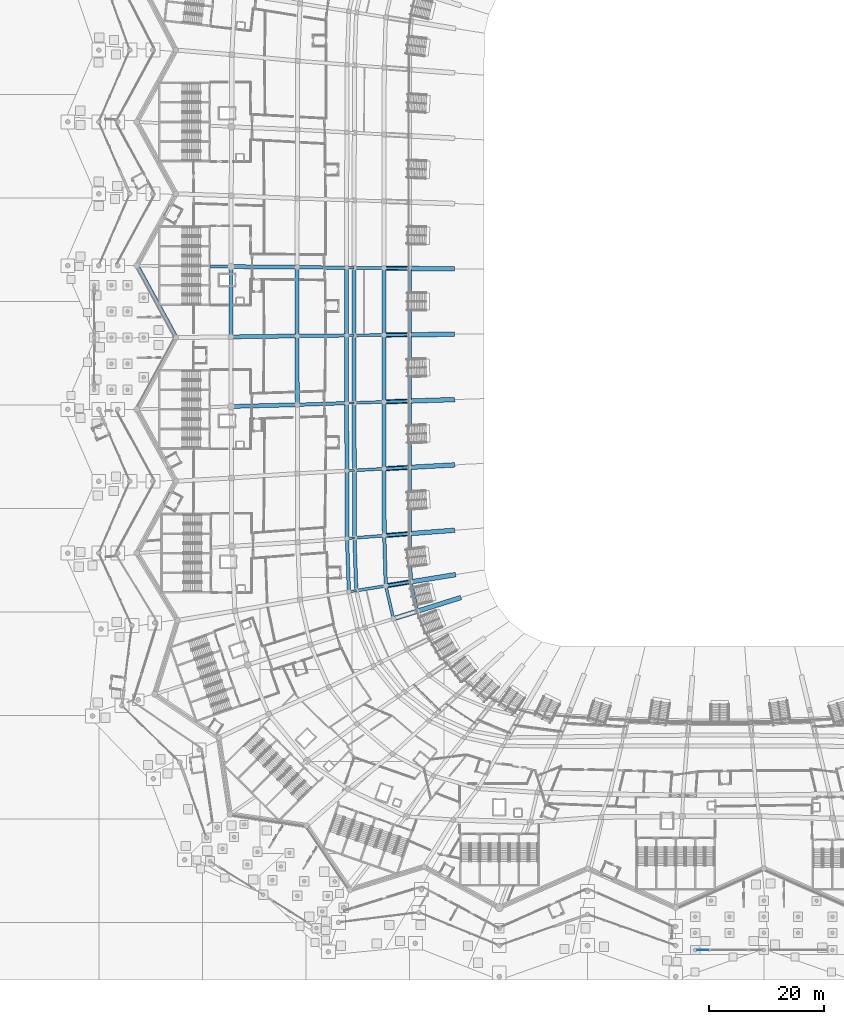
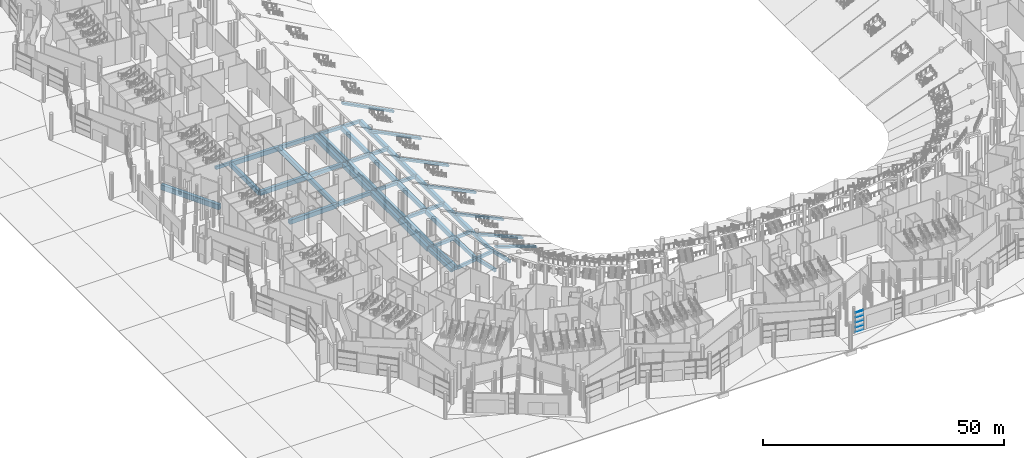
# One storey, part 27 of 255: 58 beams, 5 members, 1 element without a shape of its own.
"""IFC4 building model written with IfcOpenShell, lengths in metres."""

from ifc_helpers import new_model, si_unit, direction, frame, origin, origin_2d, place, context, subcontext, project, spatial, rectangle, extrude, material, layer, layer_set, material_profile, profile_set, type_object, element, aggregate, save


model = new_model("IFC4")

# Units and contexts
model_context = context("Model", 3, precision=1e-05, world=origin(), true_north=direction((0.0, 1.0)))
body_context = subcontext(model_context, "Body", "Model", "MODEL_VIEW")
ifc_project = project(units=[si_unit("LENGTHUNIT", "METRE"), si_unit("AREAUNIT", "SQUARE_METRE"), si_unit("VOLUMEUNIT", "CUBIC_METRE"), si_unit("PLANEANGLEUNIT", "RADIAN"), si_unit("MASSUNIT", "GRAM", prefix="KILO")], contexts=[model_context])

# Site, building, storey
site_placement = place(None, origin())
site = spatial("IfcSite", under=ifc_project, at=site_placement, CompositionType="ELEMENT")
building_placement = place(site_placement, origin())
building = spatial("IfcBuilding", under=site, at=building_placement, Name="Meseta Stadium", CompositionType="ELEMENT")
storey_placement = place(building_placement, origin())
storey = spatial("IfcBuildingStorey", under=building, at=storey_placement, Name="L00", CompositionType="ELEMENT", Elevation=0.0)

# Beams
ifc_material_1 = material(Name="Concrete C40/50", Category="concrete")
ifc_material_profile_1 = material_profile(ifc_material_1, rectangle(XDim=0.39990234375, YDim=0.60009765625, at=origin_2d()), Name="RC 400x600")
ifc_profile_set_1 = profile_set([ifc_material_profile_1], Name="Concrete C40/50")
beam_type_1 = type_object("IfcBeamType", Name="RC beam 400x600", PredefinedType="BEAM", material=ifc_profile_set_1)
for number, where, z_axis, x_axis, name in (
    (1, (-63.5986328125, 5.872802734375, -0.699951171875), (-0.999940687241, 0.010891372744, 0.0), (-0.010891372744, -0.999940687241, 0.0), "L00 radial beam frame 32 line C to D"),
    (2, (-63.5986328125, -5.872802734375, -0.699951171875), (-0.999940687241, -0.010891372744, 0.0), (0.010891372744, -0.999940687241, 0.0), "L00 radial beam frame 33 line C to D"),
    (3, (-63.587890625, -17.617919921875, -0.699951171875), (-0.99945362659, -0.033052205614, 0.0), (0.033052205614, -0.99945362659, 0.0), "L00 radial beam frame 34 line C to D"),
    (4, (-63.566162109375, -29.3623046875, -0.699951171875), (-0.998505663725, -0.054648325775, 0.0), (0.054648325775, -0.998505663725, 0.0), "L00 radial beam frame 35 line C to D"),
    (5, (-63.53369140625, -41.1044921875, -0.699951171875), (-0.99706000661, -0.076624690657, 0.0), (0.076624690657, -0.99706000661, 0.0), "L00 radial beam frame 36 line C to D"),
    (6, (-63.21826171875, -50.27294921875, -0.699951171875), (-0.98726777227, -0.159067111111, 0.0), (0.159067111111, -0.98726777227, 0.0), "L00 radial beam frame 37 line C to D"),
):
    element("IfcBeam", number, at=place(storey_placement, frame(where, z_axis=z_axis, x_axis=x_axis)), inside=storey, type_object=beam_type_1, Name=name, PredefinedType="BEAM", context=body_context, shape_type="SweptSolid", body=[
        extrude(rectangle(XDim=0.39990234375, YDim=0.60009765625, at=origin_2d()), origin(), (0.0, 0.0, 1.0), 1.300048828125),
    ])
ifc_material_2 = material(Name="Concrete C40/50", Category="concrete")
ifc_material_profile_2 = material_profile(ifc_material_2, rectangle(XDim=0.5, YDim=0.75, at=origin_2d()), Name="RC 500x750")
ifc_profile_set_2 = profile_set([ifc_material_profile_2], Name="Concrete C40/50")
beam_type_2 = type_object("IfcBeamType", Name="RC beam 500x750", PredefinedType="BEAM", material=ifc_profile_set_2)
beam_1_placement = place(storey_placement, frame((-53.740234375, -48.74658203125, -0.77490234375), z_axis=(0.225091279116, -0.974337680718, 0.0), x_axis=(0.974337680718, 0.225091279116, 0.0)))
element("IfcBeam", 7, at=beam_1_placement, inside=storey, type_object=beam_type_2, Name="L00 ring beam frame 37 line B", PredefinedType="BEAM", context=body_context, shape_type="SweptSolid", body=[
    extrude(rectangle(XDim=0.5, YDim=0.75, at=origin_2d()), origin(), (0.0, 0.0, 1.0), 5.231201171875),
])
beam_2_placement = place(storey_placement, frame((-58.084228515625, -49.4462890625, -0.77490234375), z_axis=(0.225583026399, -0.974223946637, 0.0), x_axis=(0.974223946637, 0.225583026399, 0.0)))
element("IfcBeam", 8, at=beam_2_placement, inside=storey, type_object=beam_type_2, Name="L00 ring beam frame 37 line U", PredefinedType="BEAM", context=body_context, shape_type="SweptSolid", body=[
    extrude(rectangle(XDim=0.5, YDim=0.75, at=origin_2d()), origin(), (0.0, 0.0, 1.0), 5.86474609375),
])
beam_3_placement = place(storey_placement, frame((-53.999267578125, 5.767578125, -0.77490234375), z_axis=(-0.999939646384, 0.010986518505, 0.0), x_axis=(-0.010986518505, -0.999939646384, 0.0)))
element("IfcBeam", 9, at=beam_3_placement, inside=storey, type_object=beam_type_2, Name="L00 radial beam frame 32 line B to U", PredefinedType="BEAM", context=body_context, shape_type="SweptSolid", body=[
    extrude(rectangle(XDim=0.5, YDim=0.75, at=origin_2d()), origin(), (0.0, 0.0, 1.0), 4.39990234375),
])
beam_4_placement = place(storey_placement, frame((-58.39892578125, 5.81591796875, -0.77490234375), z_axis=(-0.999940163633, 0.010939339756, 0.0), x_axis=(-0.010939339756, -0.999940163633, 0.0)))
element("IfcBeam", 10, at=beam_4_placement, inside=storey, type_object=beam_type_2, Name="L00 radial beam frame 32 line U to C", PredefinedType="BEAM", context=body_context, shape_type="SweptSolid", body=[
    extrude(rectangle(XDim=0.5, YDim=0.75, at=origin_2d()), origin(), (0.0, 0.0, 1.0), 5.199951171875),
])
beam_5_placement = place(storey_placement, frame((-84.99755859375, 6.081298828125, -0.77490234375), z_axis=(-0.999946950007, 0.010300348089, 0.0), x_axis=(-0.010300348089, -0.999946950007, 0.0)))
element("IfcBeam", 11, at=beam_5_placement, inside=storey, type_object=beam_type_2, Name="L00 radial beam frame 32 line P to R", PredefinedType="BEAM", context=body_context, shape_type="SweptSolid", body=[
    extrude(rectangle(XDim=0.5, YDim=0.75, at=origin_2d()), origin(), (0.0, 0.0, 1.0), 3.602783203125),
])
beam_6_placement = place(storey_placement, frame((-53.999267578125, -5.767578125, -0.77490234375), z_axis=(-0.999939646384, -0.010986518505, 0.0), x_axis=(0.010986518505, -0.999939646384, 0.0)))
element("IfcBeam", 12, at=beam_6_placement, inside=storey, type_object=beam_type_2, Name="L00 radial beam frame 33 line B to U", PredefinedType="BEAM", context=body_context, shape_type="SweptSolid", body=[
    extrude(rectangle(XDim=0.5, YDim=0.75, at=origin_2d()), origin(), (0.0, 0.0, 1.0), 4.39990234375),
])
beam_7_placement = place(storey_placement, frame((-58.39892578125, -5.81591796875, -0.77490234375), z_axis=(-0.999940163633, -0.010939339756, 0.0), x_axis=(0.010939339756, -0.999940163633, 0.0)))
element("IfcBeam", 13, at=beam_7_placement, inside=storey, type_object=beam_type_2, Name="L00 radial beam frame 33 line U to C", PredefinedType="BEAM", context=body_context, shape_type="SweptSolid", body=[
    extrude(rectangle(XDim=0.5, YDim=0.75, at=origin_2d()), origin(), (0.0, 0.0, 1.0), 5.199951171875),
])
beam_8_placement = place(storey_placement, frame((-53.992919921875, -17.302490234375, -0.77490234375), z_axis=(-0.999460377963, -0.032847418184, 0.0), x_axis=(0.032847418184, -0.999460377963, 0.0)))
element("IfcBeam", 14, at=beam_8_placement, inside=storey, type_object=beam_type_2, Name="L00 radial beam frame 34 line B to U", PredefinedType="BEAM", context=body_context, shape_type="SweptSolid", body=[
    extrude(rectangle(XDim=0.5, YDim=0.75, at=origin_2d()), origin(), (0.0, 0.0, 1.0), 4.400146484375),
])
beam_9_placement = place(storey_placement, frame((-58.390625, -17.447021484375, -0.77490234375), z_axis=(-0.999459812725, -0.032864612406, 0.0), x_axis=(0.032864612406, -0.999459812725, 0.0)))
element("IfcBeam", 15, at=beam_9_placement, inside=storey, type_object=beam_type_2, Name="L00 radial beam frame 34 line U to C", PredefinedType="BEAM", context=body_context, shape_type="SweptSolid", body=[
    extrude(rectangle(XDim=0.5, YDim=0.75, at=origin_2d()), origin(), (0.0, 0.0, 1.0), 5.2001953125),
])
beam_10_placement = place(storey_placement, frame((-53.98046875, -28.836669921875, -0.77490234375), z_axis=(-0.998502235363, -0.05471093104, 0.0), x_axis=(0.05471093104, -0.998502235363, 0.0)))
element("IfcBeam", 16, at=beam_10_placement, inside=storey, type_object=beam_type_2, Name="L00 radial beam frame 35 line B to U", PredefinedType="BEAM", context=body_context, shape_type="SweptSolid", body=[
    extrude(rectangle(XDim=0.5, YDim=0.75, at=origin_2d()), origin(), (0.0, 0.0, 1.0), 4.39990234375),
])
beam_11_placement = place(storey_placement, frame((-58.373779296875, -29.077392578125, -0.77490234375), z_axis=(-0.998497968402, -0.054788749724, 0.0), x_axis=(0.054788749724, -0.998497968402, 0.0)))
element("IfcBeam", 17, at=beam_11_placement, inside=storey, type_object=beam_type_2, Name="L00 radial beam frame 35 line U to C", PredefinedType="BEAM", context=body_context, shape_type="SweptSolid", body=[
    extrude(rectangle(XDim=0.5, YDim=0.75, at=origin_2d()), origin(), (0.0, 0.0, 1.0), 5.2001953125),
])
beam_12_placement = place(storey_placement, frame((-53.9619140625, -40.369873046875, -0.77490234375), z_axis=(-0.997068503293, -0.076514049307, 0.0), x_axis=(0.076514049307, -0.997068503293, 0.0)))
element("IfcBeam", 18, at=beam_12_placement, inside=storey, type_object=beam_type_2, Name="L00 radial beam frame 36 line B to U", PredefinedType="BEAM", context=body_context, shape_type="SweptSolid", body=[
    extrude(rectangle(XDim=0.5, YDim=0.75, at=origin_2d()), origin(), (0.0, 0.0, 1.0), 4.400146484375),
])
beam_13_placement = place(storey_placement, frame((-58.34912109375, -40.70654296875, -0.77490234375), z_axis=(-0.997067176411, -0.076531338178, 0.0), x_axis=(0.076531338178, -0.997067176411, 0.0)))
element("IfcBeam", 19, at=beam_13_placement, inside=storey, type_object=beam_type_2, Name="L00 radial beam frame 36 line U to C", PredefinedType="BEAM", context=body_context, shape_type="SweptSolid", body=[
    extrude(rectangle(XDim=0.5, YDim=0.75, at=origin_2d()), origin(), (0.0, 0.0, 1.0), 5.19970703125),
])
beam_14_placement = place(storey_placement, frame((-53.740234375, -48.74658203125, -0.77490234375), z_axis=(-0.98727458223, -0.15902483857, 0.0), x_axis=(0.15902483857, -0.98727458223, 0.0)))
element("IfcBeam", 20, at=beam_14_placement, inside=storey, type_object=beam_type_2, Name="L00 radial beam frame 37 line B to U", PredefinedType="BEAM", context=body_context, shape_type="SweptSolid", body=[
    extrude(rectangle(XDim=0.5, YDim=0.75, at=origin_2d()), origin(), (0.0, 0.0, 1.0), 4.39990234375),
])
beam_15_placement = place(storey_placement, frame((-58.084228515625, -49.4462890625, -0.77490234375), z_axis=(-0.98728370104, -0.158968215879, 0.0), x_axis=(0.158968215879, -0.98728370104, 0.0)))
element("IfcBeam", 21, at=beam_15_placement, inside=storey, type_object=beam_type_2, Name="L00 radial beam frame 37 line U to C", PredefinedType="BEAM", context=body_context, shape_type="SweptSolid", body=[
    extrude(rectangle(XDim=0.5, YDim=0.75, at=origin_2d()), origin(), (0.0, 0.0, 1.0), 5.2001953125),
])
ifc_material_3 = material(Name="Concrete C40/50", Category="concrete")
ifc_material_profile_3 = material_profile(ifc_material_3, rectangle(XDim=0.60009765625, YDim=0.89990234375, at=origin_2d()), Name="RC 600x900")
ifc_profile_set_3 = profile_set([ifc_material_profile_3], Name="Concrete C40/50")
beam_type_3 = type_object("IfcBeamType", Name="RC beam 600x900", PredefinedType="BEAM", material=ifc_profile_set_3)
beam_16_placement = place(storey_placement, frame((-53.9619140625, -40.369873046875, -0.85009765625), z_axis=(0.026454554384, -0.999650017032, 0.0), x_axis=(0.999650017032, 0.026454554384, 0.0)))
element("IfcBeam", 22, at=beam_16_placement, inside=storey, type_object=beam_type_3, Name="L00 ring beam frame 36 line B", PredefinedType="BEAM", context=body_context, shape_type="SweptSolid", body=[
    extrude(rectangle(XDim=0.60009765625, YDim=0.89990234375, at=origin_2d()), origin(), (0.0, 0.0, 1.0), 8.379638671875),
])
beam_17_placement = place(storey_placement, frame((-58.34912109375, -40.70654296875, -0.85009765625), z_axis=(0.030295043991, -0.999540999814, 0.0), x_axis=(0.999540999814, 0.030295043991, 0.0)))
element("IfcBeam", 23, at=beam_17_placement, inside=storey, type_object=beam_type_3, Name="L00 ring beam frame 36 line U", PredefinedType="BEAM", context=body_context, shape_type="SweptSolid", body=[
    extrude(rectangle(XDim=0.60009765625, YDim=0.89990234375, at=origin_2d()), origin(), (0.0, 0.0, 1.0), 8.74365234375),
])
beam_18_placement = place(storey_placement, frame((-63.53369140625, -41.1044921875, -0.85009765625), z_axis=(0.034383449406, -0.999408714394, 0.0), x_axis=(0.999408714394, 0.034383449406, 0.0)))
element("IfcBeam", 24, at=beam_18_placement, inside=storey, type_object=beam_type_3, Name="L00 ring beam frame 36 line C", PredefinedType="BEAM", context=body_context, shape_type="SweptSolid", body=[
    extrude(rectangle(XDim=0.60009765625, YDim=0.89990234375, at=origin_2d()), origin(), (0.0, 0.0, 1.0), 9.173828125),
])
beam_19_placement = place(storey_placement, frame((-64.829833984375, -41.2041015625, -0.85009765625), z_axis=(0.035352824386, -0.999374893525, 0.0), x_axis=(0.999374893525, 0.035352824386, 0.0)))
element("IfcBeam", 25, at=beam_19_placement, inside=storey, type_object=beam_type_3, Name="L00 ring beam frame 36 line D", PredefinedType="BEAM", context=body_context, shape_type="SweptSolid", body=[
    extrude(rectangle(XDim=0.60009765625, YDim=0.89990234375, at=origin_2d()), origin(), (0.0, 0.0, 1.0), 9.281494140625),
])
for number, where, z_axis, x_axis, name in (
    (26, (-64.898681640625, 5.886962890625, -0.85009765625), (-0.999939958323, 0.010958090563, 0.0), (-0.010958090563, -0.999939958323, 0.0), "L00 radial beam frame 32 line D to E"),
    (27, (-64.898681640625, -5.886962890625, -0.85009765625), (-0.999939958323, -0.010958090563, 0.0), (0.010958090563, -0.999939958323, 0.0), "L00 radial beam frame 33 line D to E"),
    (28, (-64.88720703125, -17.660888671875, -0.85009765625), (-0.999459492737, -0.032874342231, 0.0), (0.032874342231, -0.999459492737, 0.0), "L00 radial beam frame 34 line D to E"),
):
    element("IfcBeam", number, at=place(storey_placement, frame(where, z_axis=z_axis, x_axis=x_axis)), inside=storey, type_object=beam_type_3, Name=name, PredefinedType="BEAM", context=body_context, shape_type="SweptSolid", body=[
        extrude(rectangle(XDim=0.60009765625, YDim=0.89990234375, at=origin_2d()), origin(), (0.0, 0.0, 1.0), 8.599853515625),
    ])
ifc_material_4 = material(Name="Concrete C40/50", Category="concrete")
ifc_material_profile_4 = material_profile(ifc_material_4, rectangle(XDim=0.699951171875, YDim=1.10009765625, at=origin_2d()), Name="RC 700x1100")
ifc_profile_set_4 = profile_set([ifc_material_profile_4], Name="Concrete C40/50")
beam_type_4 = type_object("IfcBeamType", Name="RC beam 700x1100", PredefinedType="BEAM", material=ifc_profile_set_4)
beam_20_placement = place(storey_placement, frame((-53.999267578125, 5.767578125, -0.949951171875), z_axis=(0.0, -1.0, 0.0), x_axis=(1.0, 0.0, 0.0)))
element("IfcBeam", 29, at=beam_20_placement, inside=storey, type_object=beam_type_4, Name="L00 ring beam frame 32 line B", PredefinedType="BEAM", context=body_context, shape_type="SweptSolid", body=[
    extrude(rectangle(XDim=0.699951171875, YDim=1.10009765625, at=origin_2d()), origin(), (0.0, 0.0, 1.0), 11.53515625),
])
beam_21_placement = place(storey_placement, frame((-58.39892578125, 5.81591796875, -0.949951171875), z_axis=(0.0, -1.0, 0.0), x_axis=(1.0, 0.0, 0.0)))
element("IfcBeam", 30, at=beam_21_placement, inside=storey, type_object=beam_type_4, Name="L00 ring beam frame 32 line U", PredefinedType="BEAM", context=body_context, shape_type="SweptSolid", body=[
    extrude(rectangle(XDim=0.699951171875, YDim=1.10009765625, at=origin_2d()), origin(), (0.0, 0.0, 1.0), 11.6318359375),
])
beam_22_placement = place(storey_placement, frame((-63.5986328125, 5.872802734375, -0.949951171875), z_axis=(0.0, -1.0, 0.0), x_axis=(1.0, 0.0, 0.0)))
element("IfcBeam", 31, at=beam_22_placement, inside=storey, type_object=beam_type_4, Name="L00 ring beam frame 32 line C", PredefinedType="BEAM", context=body_context, shape_type="SweptSolid", body=[
    extrude(rectangle(XDim=0.699951171875, YDim=1.10009765625, at=origin_2d()), origin(), (0.0, 0.0, 1.0), 11.74560546875),
])
beam_23_placement = place(storey_placement, frame((-64.898681640625, 5.886962890625, -0.949951171875), z_axis=(0.0, -1.0, 0.0), x_axis=(1.0, 0.0, 0.0)))
element("IfcBeam", 32, at=beam_23_placement, inside=storey, type_object=beam_type_4, Name="L00 ring beam frame 32 line D", PredefinedType="BEAM", context=body_context, shape_type="SweptSolid", body=[
    extrude(rectangle(XDim=0.699951171875, YDim=1.10009765625, at=origin_2d()), origin(), (0.0, 0.0, 1.0), 11.77392578125),
])
beam_24_placement = place(storey_placement, frame((-73.498046875, 5.981201171875, -0.949951171875), z_axis=(0.0, -1.0, 0.0), x_axis=(1.0, 0.0, 0.0)))
element("IfcBeam", 33, at=beam_24_placement, inside=storey, type_object=beam_type_4, Name="L00 ring beam frame 32 line E", PredefinedType="BEAM", context=body_context, shape_type="SweptSolid", body=[
    extrude(rectangle(XDim=0.699951171875, YDim=1.10009765625, at=origin_2d()), origin(), (0.0, 0.0, 1.0), 11.96240234375),
])
beam_25_placement = place(storey_placement, frame((-84.99755859375, 6.081298828125, -0.949951171875), z_axis=(3.9962435e-05, -0.999999999202, 0.0), x_axis=(0.999999999202, 3.9962435e-05, 0.0)))
element("IfcBeam", 34, at=beam_25_placement, inside=storey, type_object=beam_type_4, Name="L00 ring beam frame 32 line P", PredefinedType="BEAM", context=body_context, shape_type="SweptSolid", body=[
    extrude(rectangle(XDim=0.699951171875, YDim=1.10009765625, at=origin_2d()), origin(), (0.0, 0.0, 1.0), 12.218505859375),
])
beam_26_placement = place(storey_placement, frame((-53.999267578125, -5.767578125, -0.949951171875), z_axis=(0.000550299407, -0.999999848585, 0.0), x_axis=(0.999999848585, 0.000550299407, 0.0)))
element("IfcBeam", 35, at=beam_26_placement, inside=storey, type_object=beam_type_4, Name="L00 ring beam frame 33 line B", PredefinedType="BEAM", context=body_context, shape_type="SweptSolid", body=[
    extrude(rectangle(XDim=0.699951171875, YDim=1.10009765625, at=origin_2d()), origin(), (0.0, 0.0, 1.0), 11.534912109375),
])
beam_27_placement = place(storey_placement, frame((-58.39892578125, -5.81591796875, -0.949951171875), z_axis=(0.000713670816, -0.999999745337, 0.0), x_axis=(0.999999745337, 0.000713670816, 0.0)))
element("IfcBeam", 36, at=beam_27_placement, inside=storey, type_object=beam_type_4, Name="L00 ring beam frame 33 line U", PredefinedType="BEAM", context=body_context, shape_type="SweptSolid", body=[
    extrude(rectangle(XDim=0.699951171875, YDim=1.10009765625, at=origin_2d()), origin(), (0.0, 0.0, 1.0), 11.631103515625),
])
beam_28_placement = place(storey_placement, frame((-63.5986328125, -5.872802734375, -0.949951171875), z_axis=(0.000914608414, -0.999999581746, 0.0), x_axis=(0.999999581746, 0.000914608414, 0.0)))
element("IfcBeam", 37, at=beam_28_placement, inside=storey, type_object=beam_type_4, Name="L00 ring beam frame 33 line C", PredefinedType="BEAM", context=body_context, shape_type="SweptSolid", body=[
    extrude(rectangle(XDim=0.699951171875, YDim=1.10009765625, at=origin_2d()), origin(), (0.0, 0.0, 1.0), 11.7451171875),
])
beam_29_placement = place(storey_placement, frame((-64.898681640625, -5.886962890625, -0.949951171875), z_axis=(0.000974577566, -0.999999525099, 0.0), x_axis=(0.999999525099, 0.000974577566, 0.0)))
element("IfcBeam", 38, at=beam_29_placement, inside=storey, type_object=beam_type_4, Name="L00 ring beam frame 33 line D", PredefinedType="BEAM", context=body_context, shape_type="SweptSolid", body=[
    extrude(rectangle(XDim=0.699951171875, YDim=1.10009765625, at=origin_2d()), origin(), (0.0, 0.0, 1.0), 11.77392578125),
])
beam_30_placement = place(storey_placement, frame((-73.498046875, -5.981201171875, -0.949951171875), z_axis=(0.001306174648, -0.999999146954, 0.0), x_axis=(0.999999146954, 0.001306174648, 0.0)))
element("IfcBeam", 39, at=beam_30_placement, inside=storey, type_object=beam_type_4, Name="L00 ring beam frame 33 line E", PredefinedType="BEAM", context=body_context, shape_type="SweptSolid", body=[
    extrude(rectangle(XDim=0.699951171875, YDim=1.10009765625, at=origin_2d()), origin(), (0.0, 0.0, 1.0), 11.96240234375),
])
beam_31_placement = place(storey_placement, frame((-53.992919921875, -17.302490234375, -0.949951171875), z_axis=(0.00107950153, -0.999999417338, 0.0), x_axis=(0.999999417338, 0.00107950153, 0.0)))
element("IfcBeam", 40, at=beam_31_placement, inside=storey, type_object=beam_type_4, Name="L00 ring beam frame 34 line B", PredefinedType="BEAM", context=body_context, shape_type="SweptSolid", body=[
    extrude(rectangle(XDim=0.699951171875, YDim=1.10009765625, at=origin_2d()), origin(), (0.0, 0.0, 1.0), 11.5341796875),
])
beam_32_placement = place(storey_placement, frame((-58.390625, -17.447021484375, -0.949951171875), z_axis=(0.001448422008, -0.999998951036, 0.0), x_axis=(0.999998951036, 0.001448422008, 0.0)))
element("IfcBeam", 41, at=beam_32_placement, inside=storey, type_object=beam_type_4, Name="L00 ring beam frame 34 line U", PredefinedType="BEAM", context=body_context, shape_type="SweptSolid", body=[
    extrude(rectangle(XDim=0.699951171875, YDim=1.10009765625, at=origin_2d()), origin(), (0.0, 0.0, 1.0), 11.63037109375),
])
beam_33_placement = place(storey_placement, frame((-63.587890625, -17.617919921875, -0.949951171875), z_axis=(0.001850116364, -0.999998288533, 0.0), x_axis=(0.999998288533, 0.001850116364, 0.0)))
element("IfcBeam", 42, at=beam_33_placement, inside=storey, type_object=beam_type_4, Name="L00 ring beam frame 34 line C", PredefinedType="BEAM", context=body_context, shape_type="SweptSolid", body=[
    extrude(rectangle(XDim=0.699951171875, YDim=1.10009765625, at=origin_2d()), origin(), (0.0, 0.0, 1.0), 11.744384765625),
])
beam_34_placement = place(storey_placement, frame((-64.88720703125, -17.660888671875, -0.949951171875), z_axis=(0.001949394886, -0.999998099928, 0.0), x_axis=(0.999998099928, 0.001949394886, 0.0)))
element("IfcBeam", 43, at=beam_34_placement, inside=storey, type_object=beam_type_4, Name="L00 ring beam frame 34 line D", PredefinedType="BEAM", context=body_context, shape_type="SweptSolid", body=[
    extrude(rectangle(XDim=0.699951171875, YDim=1.10009765625, at=origin_2d()), origin(), (0.0, 0.0, 1.0), 11.7724609375),
])
beam_35_placement = place(storey_placement, frame((-53.98046875, -28.836669921875, -0.949951171875), z_axis=(0.001608804015, -0.999998705874, 0.0), x_axis=(0.999998705874, 0.001608804015, 0.0)))
element("IfcBeam", 44, at=beam_35_placement, inside=storey, type_object=beam_type_4, Name="L00 ring beam frame 35 line B", PredefinedType="BEAM", context=body_context, shape_type="SweptSolid", body=[
    extrude(rectangle(XDim=0.699951171875, YDim=1.10009765625, at=origin_2d()), origin(), (0.0, 0.0, 1.0), 11.533203125),
])
beam_36_placement = place(storey_placement, frame((-58.373779296875, -29.077392578125, -0.949951171875), z_axis=(0.002120373962, -0.999997752005, 0.0), x_axis=(0.999997752005, 0.002120373962, 0.0)))
element("IfcBeam", 45, at=beam_36_placement, inside=storey, type_object=beam_type_4, Name="L00 ring beam frame 35 line U", PredefinedType="BEAM", context=body_context, shape_type="SweptSolid", body=[
    extrude(rectangle(XDim=0.699951171875, YDim=1.10009765625, at=origin_2d()), origin(), (0.0, 0.0, 1.0), 11.629150390625),
])
beam_37_placement = place(storey_placement, frame((-63.566162109375, -29.3623046875, -0.949951171875), z_axis=(0.002765292155, -0.999996176572, 0.0), x_axis=(0.999996176572, 0.002765292155, 0.0)))
element("IfcBeam", 46, at=beam_37_placement, inside=storey, type_object=beam_type_4, Name="L00 ring beam frame 35 line C", PredefinedType="BEAM", context=body_context, shape_type="SweptSolid", body=[
    extrude(rectangle(XDim=0.699951171875, YDim=1.10009765625, at=origin_2d()), origin(), (0.0, 0.0, 1.0), 11.7421875),
])
beam_38_placement = place(storey_placement, frame((-64.8642578125, -29.433349609375, -0.949951171875), z_axis=(0.002924509925, -0.999995723612, 0.0), x_axis=(0.999995723612, 0.002924509925, 0.0)))
element("IfcBeam", 47, at=beam_38_placement, inside=storey, type_object=beam_type_4, Name="L00 ring beam frame 35 line D", PredefinedType="BEAM", context=body_context, shape_type="SweptSolid", body=[
    extrude(rectangle(XDim=0.699951171875, YDim=1.10009765625, at=origin_2d()), origin(), (0.0, 0.0, 1.0), 11.770751953125),
])
for number, where, z_axis, x_axis, name in (
    (48, (-73.498046875, 5.981201171875, -0.949951171875), (-0.999962117874, 0.008704183863, 0.0), (-0.008704183863, -0.999962117874, 0.0), "L00 radial beam frame 32 line E to P"),
    (49, (-73.498046875, -5.981201171875, -0.949951171875), (-0.9999079826, -0.013565630592, 0.0), (0.013565630592, -0.9999079826, 0.0), "L00 radial beam frame 33 line E to P"),
    (50, (-73.482421875, -17.943603515625, -0.949951171875), (-0.999659567147, -0.026091182637, 0.0), (0.026091182637, -0.999659567147, 0.0), "L00 radial beam frame 34 line E to P"),
):
    element("IfcBeam", number, at=place(storey_placement, frame(where, z_axis=z_axis, x_axis=x_axis)), inside=storey, type_object=beam_type_4, Name=name, PredefinedType="BEAM", context=body_context, shape_type="SweptSolid", body=[
        extrude(rectangle(XDim=0.699951171875, YDim=1.10009765625, at=origin_2d()), origin(), (0.0, 0.0, 1.0), 11.5),
    ])
ifc_material_5 = material(Name="Concrete C40/50", Category="concrete")
ifc_material_profile_5 = material_profile(ifc_material_5, rectangle(XDim=0.800048828125, YDim=1.300048828125, at=origin_2d()), Name="RC 800x1300")
ifc_profile_set_5 = profile_set([ifc_material_profile_5], Name="Concrete C40/50")
beam_type_5 = type_object("IfcBeamType", Name="RC beam 800x1300", PredefinedType="BEAM", material=ifc_profile_set_5)
beam_39_placement = place(storey_placement, frame((-101.39990234375, 6.25, -1.050048828125), z_axis=(0.47785649891, -0.878437912689, 0.0), x_axis=(0.878437912689, 0.47785649891, 0.0)))
element("IfcBeam", 51, at=beam_39_placement, inside=storey, type_object=beam_type_5, Name="L00 ring beam frame 32 line R", PredefinedType="BEAM", context=body_context, shape_type="SweptSolid", body=[
    extrude(rectangle(XDim=0.800048828125, YDim=1.300048828125, at=origin_2d()), origin(), (0.0, 0.0, 1.0), 14.229736328125),
])
ifc_material_6 = material(Name="Concrete C40/50", Category="concrete")
ifc_material_profile_6 = material_profile(ifc_material_6, rectangle(XDim=0.800048828125, YDim=0.449951171875, at=origin_2d()), Name="RC 800x450")
ifc_profile_set_6 = profile_set([ifc_material_profile_6], Name="Concrete C40/50")
beam_type_6 = type_object("IfcBeamType", Name="RC raker lower 800x450", PredefinedType="USERDEFINED", material=ifc_profile_set_6)
for number, where, z_axis, x_axis, name in (
    (52, (-46.19970703125, 5.681884765625, -0.99365234375), (-0.890790480813, 0.009787143251, 0.454308849925), (-0.010986368611, -0.999939648031, 0.0), "Raker lower frame 32 lower tier"),
    (53, (-46.19970703125, -5.681884765625, -0.99365234375), (-0.890790480813, -0.009787143251, 0.454308849925), (0.010986368611, -0.999939648031, 0.0), "Raker lower frame 33 lower tier"),
    (54, (-46.197265625, -17.0458984375, -0.9306640625), (-0.890362604919, -0.029290120132, 0.454308838374), (0.032879058379, -0.999459337602, 0.0), "Raker lower frame 34 lower tier"),
    (55, (-46.192138671875, -28.40966796875, -0.867919921875), (-0.889508530141, -0.048757532266, 0.454309671759), (0.054731851811, -0.998501088831, 0.0), "Raker lower frame 35 lower tier"),
    (56, (-46.184814453125, -39.77294921875, -0.805419921875), (-0.888233965299, -0.068170731225, 0.454305155478), (0.076523575733, -0.997067772199, 0.0), "Raker lower frame 36 lower tier"),
):
    element("IfcBeam", number, at=place(storey_placement, frame(where, z_axis=z_axis, x_axis=x_axis)), inside=storey, type_object=beam_type_6, Name=name, ObjectType="RAKER", PredefinedType="USERDEFINED", context=body_context, shape_type="SweptSolid", body=[
        extrude(rectangle(XDim=0.800048828125, YDim=0.449951171875, at=origin_2d()), origin(), (0.0, 0.0, 1.0), 13.69482421875),
    ])
beam_40_placement = place(storey_placement, frame((-46.03955078125, -47.50634765625, -0.7998046875), z_axis=(-0.879658390455, -0.141679650766, 0.454013207584), x_axis=(0.159012854331, -0.987276512512, 0.0)))
element("IfcBeam", 57, at=beam_40_placement, inside=storey, type_object=beam_type_6, Name="Raker lower frame 37 lower tier", ObjectType="RAKER", PredefinedType="USERDEFINED", context=body_context, shape_type="SweptSolid", body=[
    extrude(rectangle(XDim=0.800048828125, YDim=0.449951171875, at=origin_2d()), origin(), (0.0, 0.0, 1.0), 13.6923828125),
])
beam_41_placement = place(storey_placement, frame((-45.1201171875, -51.510009765625, -0.937744140625), z_axis=(-0.850481481105, -0.266656141574, 0.453404623331), x_axis=(0.299175031257, -0.954198250194, 0.0)))
element("IfcBeam", 58, at=beam_41_placement, inside=storey, type_object=beam_type_6, Name="Raker lower frame 38 lower tier", ObjectType="RAKER", PredefinedType="USERDEFINED", context=body_context, shape_type="SweptSolid", body=[
    extrude(rectangle(XDim=0.800048828125, YDim=0.449951171875, at=origin_2d()), origin(), (0.0, 0.0, 1.0), 13.687744140625),
])

# Curtain wall, members
ifc_material_7 = material(Name="Aluminium", Category="aluminium")
ifc_layer = layer(ifc_material_7, 0.199951171875)
ifc_layer_set = layer_set([ifc_layer], Name="Gate hall curtain wall")
curtain_wall_type = type_object("IfcCurtainWallType", Name="Gate hall curtain wall", PredefinedType="NOTDEFINED", material=ifc_layer_set)
curtain_wall_placement = place(storey_placement, origin())
curtain_wall = element("IfcCurtainWall", 59, at=curtain_wall_placement, inside=storey, type_object=curtain_wall_type, Name="Gate 7 glazing", PredefinedType="NOTDEFINED")
ifc_material_8 = material(Name="Aluminium", Category="aluminium")
ifc_material_profile_7 = material_profile(ifc_material_8, rectangle(XDim=0.06005859375, YDim=0.14990234375, at=origin_2d()), Name="CW 60x150")
ifc_profile_set_7 = profile_set([ifc_material_profile_7], Name="Aluminium")
member_type = type_object("IfcMemberType", Name="Ring CW transom 60x150", PredefinedType="USERDEFINED", material=ifc_profile_set_7)
member_1_placement = place(storey_placement, frame((-3.90673828125, -112.800048828125, 0.074951171875), z_axis=(1.0, 0.0, 0.0), x_axis=(0.0, 1.0, 0.0)))
member_1 = element("IfcMember", 60, at=member_1_placement, type_object=member_type, Name="CWG1 transom 1.1", ObjectType="TRANSOM", PredefinedType="USERDEFINED", context=body_context, shape_type="SweptSolid", body=[
    extrude(rectangle(XDim=0.06005859375, YDim=0.14990234375, at=origin_2d()), origin(), (0.0, 0.0, 1.0), 1.94677734375),
])
member_2_placement = place(storey_placement, frame((-3.90673828125, -112.800048828125, 1.262451171875), z_axis=(1.0, 0.0, 0.0), x_axis=(0.0, 1.0, 0.0)))
member_2 = element("IfcMember", 61, at=member_2_placement, type_object=member_type, Name="CWG1 transom 1.2", ObjectType="TRANSOM", PredefinedType="USERDEFINED", context=body_context, shape_type="SweptSolid", body=[
    extrude(rectangle(XDim=0.06005859375, YDim=0.14990234375, at=origin_2d()), origin(), (0.0, 0.0, 1.0), 1.94677734375),
])
member_3_placement = place(storey_placement, frame((-3.90673828125, -112.800048828125, 2.52490234375), z_axis=(1.0, 0.0, 0.0), x_axis=(0.0, 1.0, 0.0)))
member_3 = element("IfcMember", 62, at=member_3_placement, type_object=member_type, Name="CWG1 transom 1.3", ObjectType="TRANSOM", PredefinedType="USERDEFINED", context=body_context, shape_type="SweptSolid", body=[
    extrude(rectangle(XDim=0.06005859375, YDim=0.14990234375, at=origin_2d()), origin(), (0.0, 0.0, 1.0), 1.94677734375),
])
member_4_placement = place(storey_placement, frame((-3.90673828125, -112.800048828125, 3.78759765625), z_axis=(1.0, 0.0, 0.0), x_axis=(0.0, 1.0, 0.0)))
member_4 = element("IfcMember", 63, at=member_4_placement, type_object=member_type, Name="CWG1 transom 1.4", ObjectType="TRANSOM", PredefinedType="USERDEFINED", context=body_context, shape_type="SweptSolid", body=[
    extrude(rectangle(XDim=0.06005859375, YDim=0.14990234375, at=origin_2d()), origin(), (0.0, 0.0, 1.0), 1.94677734375),
])
member_5_placement = place(storey_placement, frame((-3.90673828125, -112.800048828125, 4.97509765625), z_axis=(1.0, 0.0, 0.0), x_axis=(0.0, 1.0, 0.0)))
member_5 = element("IfcMember", 64, at=member_5_placement, type_object=member_type, Name="CWG1 transom 1.5", ObjectType="TRANSOM", PredefinedType="USERDEFINED", context=body_context, shape_type="SweptSolid", body=[
    extrude(rectangle(XDim=0.06005859375, YDim=0.14990234375, at=origin_2d()), origin(), (0.0, 0.0, 1.0), 1.94677734375),
])
aggregate(curtain_wall, [member_1, member_2, member_3, member_4, member_5])

save(model, "model.ifc")
